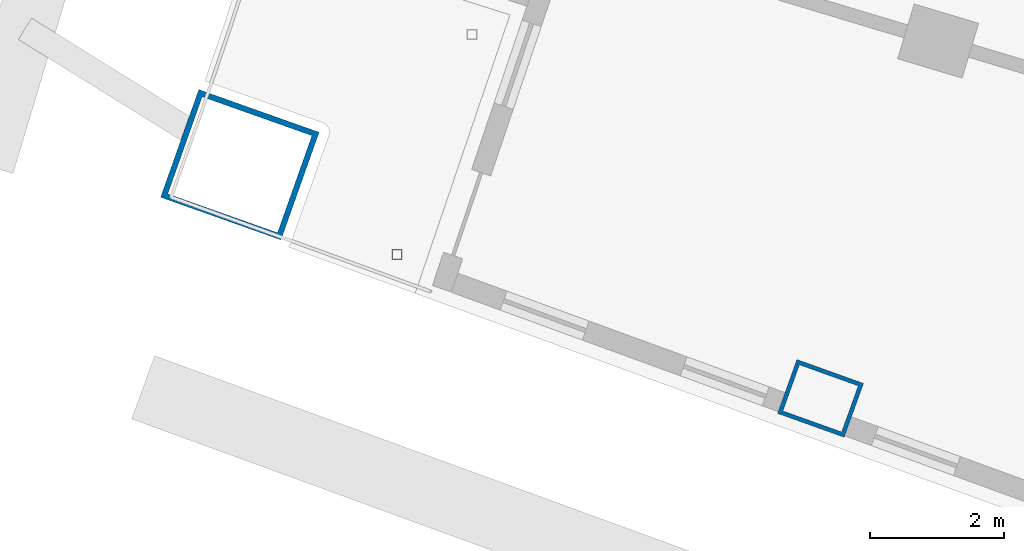
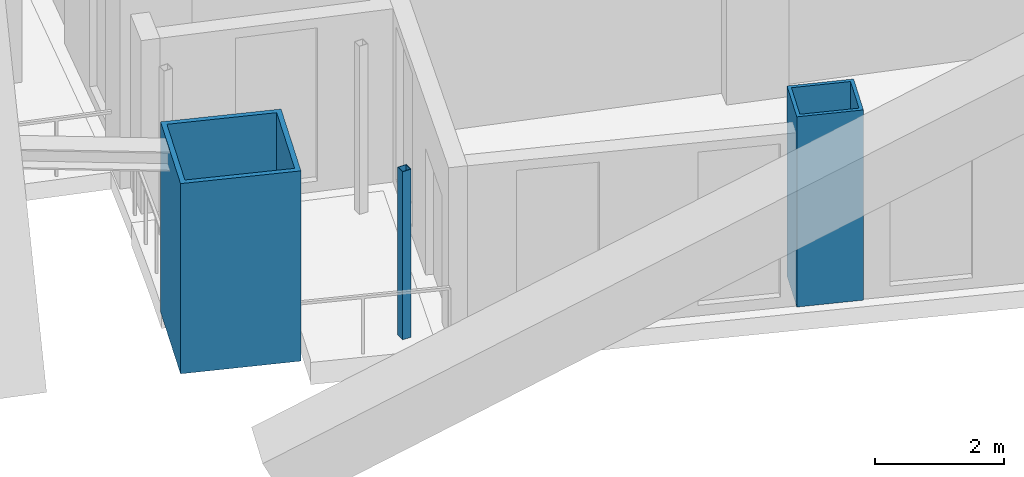
# One storey, part 1 of 26: 3 columns.
"""IFC4 building model written with IfcOpenShell, lengths in metres."""

from ifc_helpers import new_model, si_unit, direction, frame, origin, origin_2d, place, context, subcontext, project, spatial, hollow_rectangle, extrude, material, material_profile, profile_set, type_object, element, save


model = new_model("IFC4")

# Units and contexts
model_context = context("Model", 3, precision=1e-05, world=origin(), true_north=direction((0.0, 1.0)))
body_context = subcontext(model_context, "Body", "Model", "MODEL_VIEW")
ifc_project = project(units=[si_unit("LENGTHUNIT", "METRE"), si_unit("AREAUNIT", "SQUARE_METRE"), si_unit("VOLUMEUNIT", "CUBIC_METRE"), si_unit("PLANEANGLEUNIT", "RADIAN"), si_unit("MASSUNIT", "GRAM", prefix="KILO")], contexts=[model_context])

# Site, building, storey
site_placement = place(None, origin())
site = spatial("IfcSite", under=ifc_project, at=site_placement, CompositionType="ELEMENT")
building_placement = place(site_placement, origin())
building = spatial("IfcBuilding", under=site, at=building_placement, Name="Alderwake Tower", CompositionType="ELEMENT")
storey_placement = place(building_placement, frame((0.0, 0.0, 82.39990234375)))
storey = spatial("IfcBuildingStorey", under=building, at=storey_placement, Name="L19", CompositionType="ELEMENT", Elevation=82.39990234375)

# Columns
ifc_material_1 = material(Name="Steel ASTM A572 Grade 50 concrete filled C70/85", Category="concrete")
ifc_material_profile_1 = material_profile(ifc_material_1, hollow_rectangle(XDim=0.85009765625, YDim=1.050048828125, WallThickness=0.06005859375, at=origin_2d()), Name="BOX 1050X850X60")
ifc_profile_set_1 = profile_set([ifc_material_profile_1], Name="Steel ASTM A572 Grade 50 concrete filled C70/85")
column_type_1 = type_object("IfcColumnType", Name="End column Z2", PredefinedType="COLUMN", material=ifc_profile_set_1)
column_1_placement = place(storey_placement, frame((19.965576171875, 25.1484375, 0.0), z_axis=(0.0, 0.0, 1.0), x_axis=(0.337584879279, 0.9412950915, 0.0)))
element("IfcColumn", 1, at=column_1_placement, inside=storey, type_object=column_type_1, Name="Column R01-C1", PredefinedType="COLUMN", context=body_context, shape_type="SweptSolid", body=[
    extrude(hollow_rectangle(XDim=0.85009765625, YDim=1.050048828125, WallThickness=0.06005859375, at=origin_2d()), origin(), (0.0, 0.0, 1.0), 3.60009765625),
])
ifc_material_2 = material(Name="Steel ASTM A500 Grade C", Category="steel")
ifc_material_profile_2 = material_profile(ifc_material_2, hollow_rectangle(XDim=0.15234375, YDim=0.15234375, WallThickness=0.0087890625, at=origin_2d()), Name="HSS6X6X3/8")
ifc_profile_set_2 = profile_set([ifc_material_profile_2], Name="Steel ASTM A500 Grade C")
column_type_2 = type_object("IfcColumnType", Name="Light post HSS6X6X3/8", PredefinedType="COLUMN", material=ifc_profile_set_2)
column_2_placement = place(storey_placement, frame((13.66796875, 27.28759765625, 0.0), z_axis=(0.0, 0.0, 1.0), x_axis=(1.0, 0.0, 0.0)))
element("IfcColumn", 2, at=column_2_placement, inside=storey, type_object=column_type_2, Name="Terrace post RS2", PredefinedType="COLUMN", context=body_context, shape_type="SweptSolid", body=[
    extrude(hollow_rectangle(XDim=0.15234375, YDim=0.15234375, WallThickness=0.0087890625, at=origin_2d()), origin(), (0.0, 0.0, 1.0), 3.18017578125),
])
ifc_material_3 = material(Name="Steel ASTM A572 Grade 50 concrete filled C70/85", Category="concrete")
ifc_material_profile_3 = material_profile(ifc_material_3, hollow_rectangle(XDim=1.699951171875, YDim=1.89990234375, WallThickness=0.0849609375, at=origin_2d()), Name="BOX 1900X1700X85")
ifc_profile_set_3 = profile_set([ifc_material_profile_3], Name="Steel ASTM A572 Grade 50 concrete filled C70/85")
column_type_3 = type_object("IfcColumnType", Name="Mega column Z2", PredefinedType="COLUMN", material=ifc_profile_set_3)
column_3_placement = place(storey_placement, frame((11.330810546875, 28.622802734375, 0.0), z_axis=(0.0, 0.0, 1.0), x_axis=(0.334130947791, 0.942526662609, 0.0)))
element("IfcColumn", 3, at=column_3_placement, inside=storey, type_object=column_type_3, Name="Column R01-C0", PredefinedType="COLUMN", context=body_context, shape_type="SweptSolid", body=[
    extrude(hollow_rectangle(XDim=1.699951171875, YDim=1.89990234375, WallThickness=0.0849609375, at=origin_2d()), origin(), (0.0, 0.0, 1.0), 3.60009765625),
])

save(model, "model.ifc")
